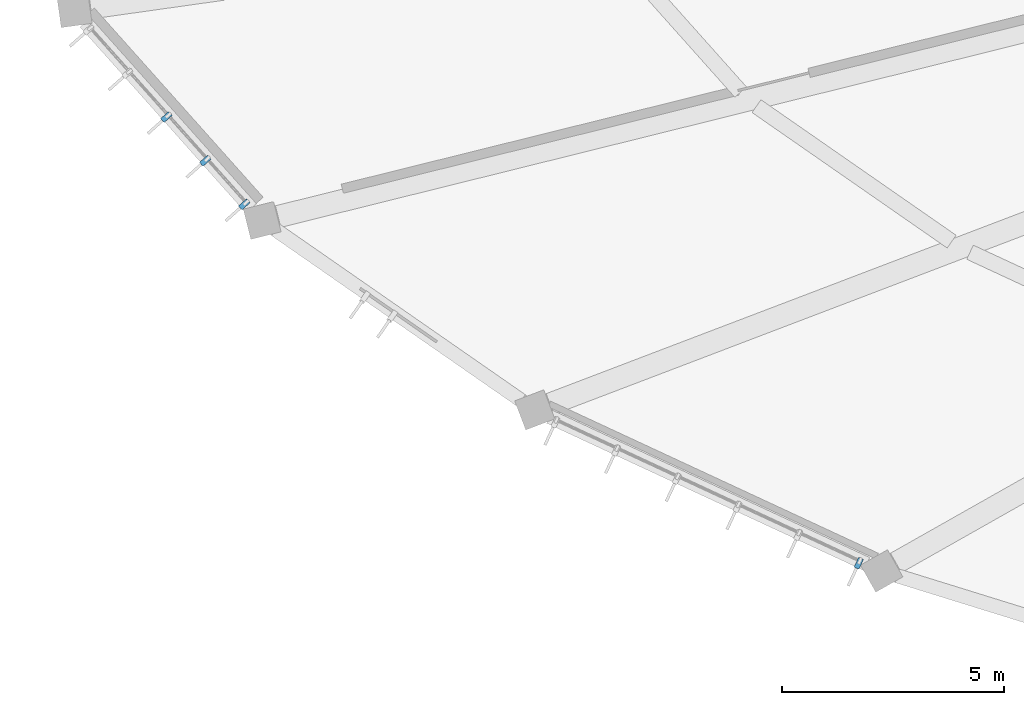
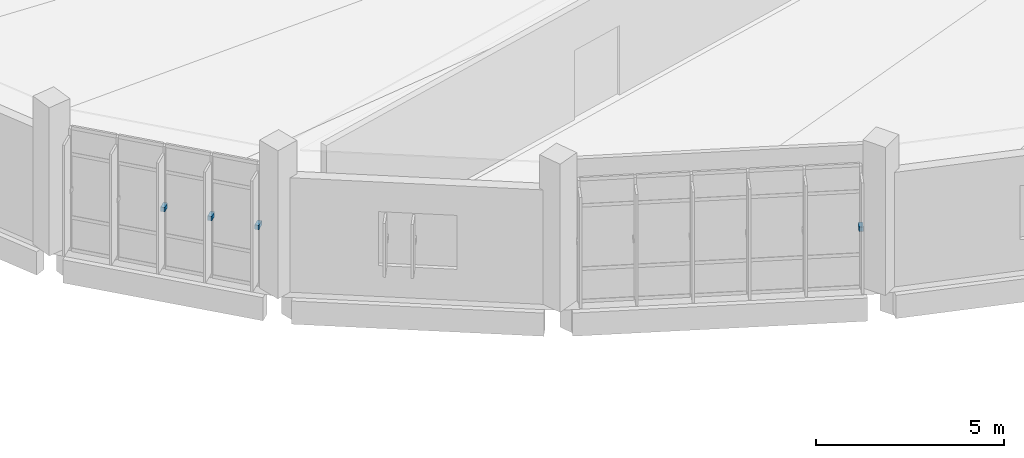
# One storey, part 140 of 179: 4 discrete accessories.
"""IFC4 building model written with IfcOpenShell, lengths in metres."""

from ifc_helpers import new_model, si_unit, direction, frame, origin, origin_2d, place, context, subcontext, project, spatial, rectangle, extrude, material, type_object, element, save


model = new_model("IFC4")

# Units and contexts
model_context = context("Model", 3, precision=1e-05, world=origin(), true_north=direction((0.0, 1.0)))
body_context = subcontext(model_context, "Body", "Model", "MODEL_VIEW")
ifc_project = project(units=[si_unit("LENGTHUNIT", "METRE"), si_unit("AREAUNIT", "SQUARE_METRE"), si_unit("VOLUMEUNIT", "CUBIC_METRE"), si_unit("PLANEANGLEUNIT", "RADIAN"), si_unit("MASSUNIT", "GRAM", prefix="KILO")], contexts=[model_context])

# Site, building, storey
site_placement = place(None, origin())
site = spatial("IfcSite", under=ifc_project, at=site_placement, CompositionType="ELEMENT")
building_placement = place(site_placement, origin())
building = spatial("IfcBuilding", under=site, at=building_placement, Name="Corvandel Quay Wholesale Market", CompositionType="ELEMENT")
storey_placement = place(building_placement, frame((0.0, 0.0, 6.0)))
storey = spatial("IfcBuildingStorey", under=building, at=storey_placement, Name="L01", CompositionType="ELEMENT", Elevation=6.0)

# Discrete accessories
ifc_material = material(Name="Austenitic stainless steel Grade 316", Category="steel")
discrete_accessory_type = type_object("IfcDiscreteAccessoryType", Name="Stainless Solar Fin Fixing Bracket BRK01", PredefinedType="USERDEFINED", material=ifc_material)
for number, where, z_axis, x_axis, name in (
    (1, (62.2177734375, 106.010009765625, 1.9052734375), (0.0, 0.0, 1.0), (0.746289766155, 0.665621202286, 0.0), "Fin Bracket 0443"),
    (2, (63.09326171875, 105.028564453125, 1.9052734375), (0.0, 0.0, 1.0), (0.746289766155, 0.665621202286, 0.0), "Fin Bracket 0444"),
    (3, (63.96875, 104.047119140625, 1.9052734375), (0.0, 0.0, 1.0), (0.746289766155, 0.665621202286, 0.0), "Fin Bracket 0445"),
    (4, (77.786865234375, 95.97705078125, 1.9052734375), (0.0, 0.0, 1.0), (0.421194115999, 0.906970515865, 0.0), "Fin Bracket 0462"),
):
    element("IfcDiscreteAccessory", number, at=place(storey_placement, frame(where, z_axis=z_axis, x_axis=x_axis)), inside=storey, type_object=discrete_accessory_type, Name=name, ObjectType="BRACKET", PredefinedType="USERDEFINED", context=body_context, shape_type="SweptSolid", body=[
        extrude(rectangle(XDim=0.239990234375, YDim=0.1201171875, at=origin_2d()), origin(), (0.0, 0.0, 1.0), 0.139892578125),
    ])

save(model, "model.ifc")
